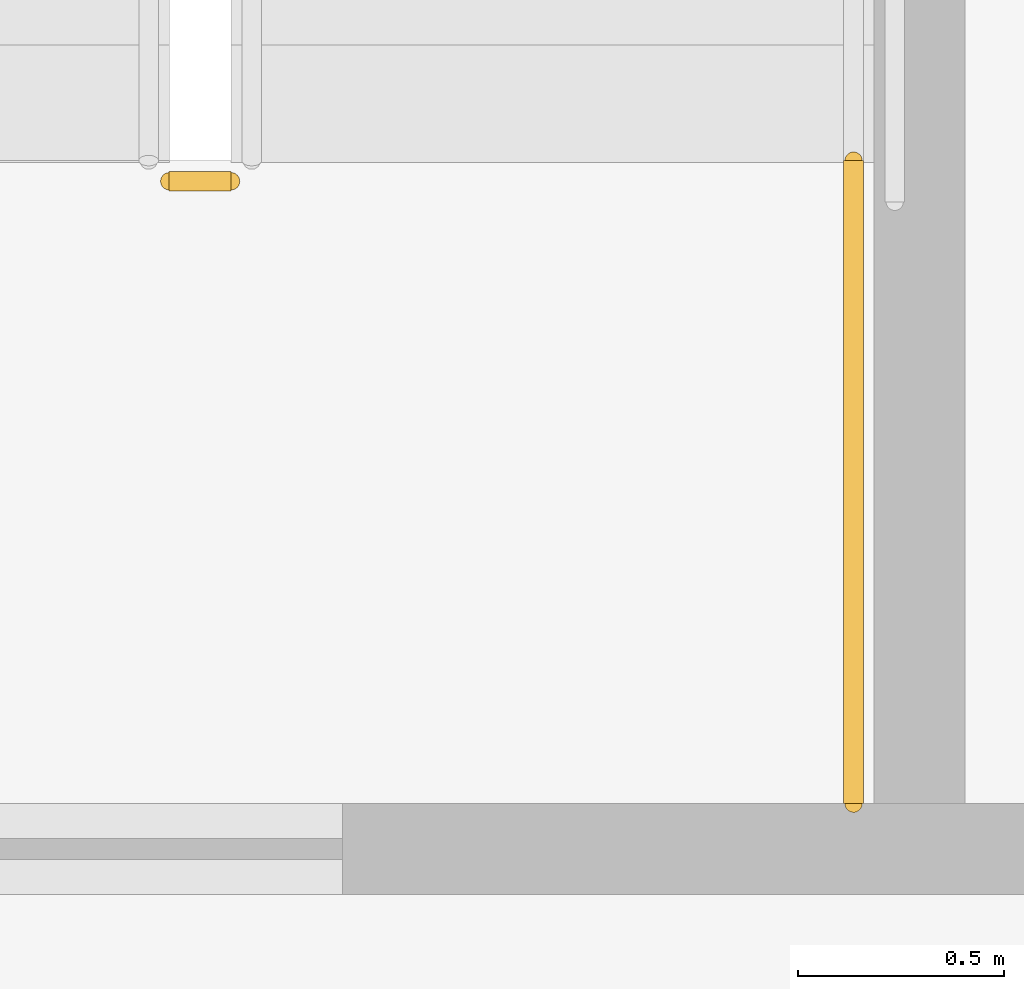
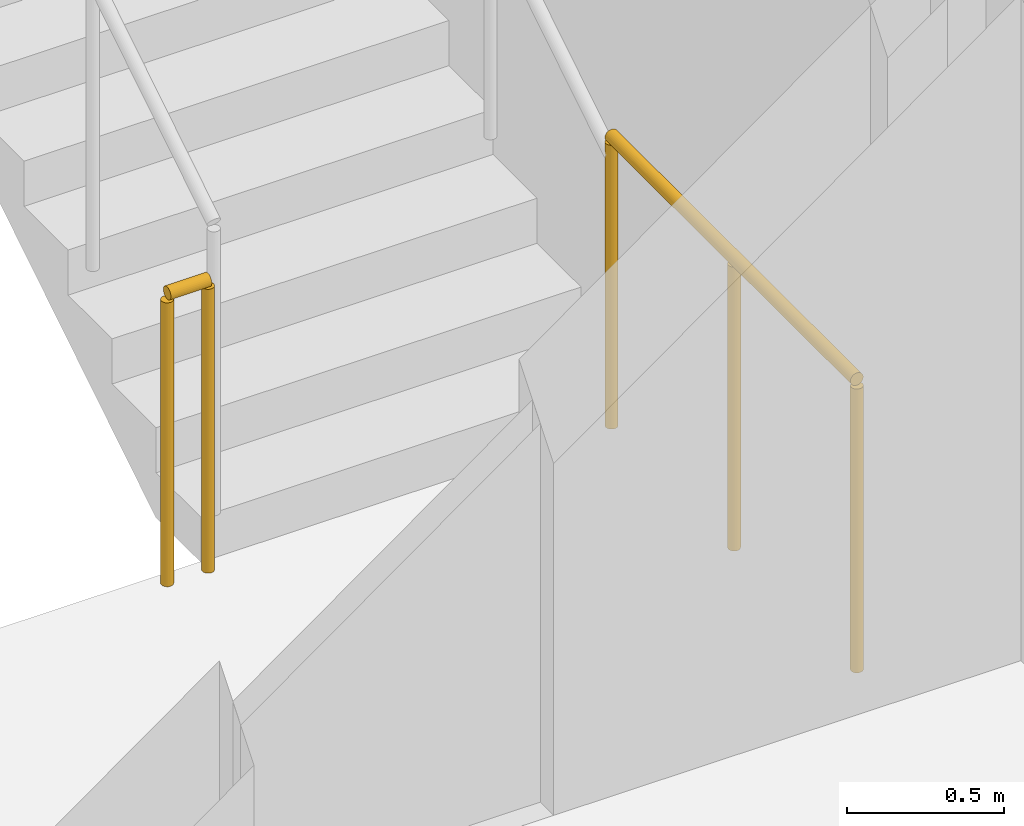
# One storey, part 12 of 15: 2 railings.
"""IFC4 building model written with IfcOpenShell, lengths in metres."""

from ifc_helpers import new_model, si_unit, direction, frame, origin, origin_2d, place, context, subcontext, project, spatial, circle, extrude, material, type_object, element, save


model = new_model("IFC4")

# Units and contexts
model_context = context("Model", 3, precision=1e-05, world=origin(), true_north=direction((0.0, 1.0)))
body_context = subcontext(model_context, "Body", "Model", "MODEL_VIEW")
ifc_project = project(units=[si_unit("LENGTHUNIT", "METRE"), si_unit("AREAUNIT", "SQUARE_METRE"), si_unit("VOLUMEUNIT", "CUBIC_METRE"), si_unit("PLANEANGLEUNIT", "RADIAN"), si_unit("MASSUNIT", "GRAM", prefix="KILO")], contexts=[model_context])

# Site, building, storey
site_placement = place(None, origin())
site = spatial("IfcSite", under=ifc_project, at=site_placement, CompositionType="ELEMENT")
building_placement = place(site_placement, origin())
building = spatial("IfcBuilding", under=site, at=building_placement, Name="Khairoan Windgate Tower", CompositionType="ELEMENT")
storey_placement = place(building_placement, frame((0.0, 0.0, 143.60009765625)))
storey = spatial("IfcBuildingStorey", under=building, at=storey_placement, Name="L33", CompositionType="ELEMENT", Elevation=143.60009765625)

# Railings
ifc_material = material(Name="Steel S355", Category="steel")
railing_type = type_object("IfcRailingType", Name="Stairwell Safety Guardrail SGR-1150", PredefinedType="GUARDRAIL", material=ifc_material)
railing_1_placement = place(storey_placement, frame((-17.7099609375, 2.909912109375, 0.0)))
element("IfcRailing", 1, at=railing_1_placement, inside=storey, type_object=railing_type, Name="L33 ST2 stair guard 7", PredefinedType="GUARDRAIL", context=body_context, shape_type="SweptSolid", body=[
    extrude(circle(Radius=0.02392578125, at=origin_2d()), frame((0.0, 0.0, 1.1259765625), z_axis=(-1.0, 0.0, 0.0), x_axis=(0.0, -1.0, 0.0)), (0.0, 0.0, 1.0), 0.150146484375),
    extrude(circle(Radius=0.02099609375, at=origin_2d()), origin(), (0.0, 0.0, 1.0), 1.101806640625),
    extrude(circle(Radius=0.02099609375, at=origin_2d()), frame((-0.150146484375, 0.0, 0.0)), (0.0, 0.0, 1.0), 1.101806640625),
])
railing_2_placement = place(storey_placement, frame((-16.199951171875, 1.39990234375, 0.0)))
element("IfcRailing", 2, at=railing_2_placement, inside=storey, type_object=railing_type, Name="L33 ST2 stair guard 8", PredefinedType="GUARDRAIL", context=body_context, shape_type="SweptSolid", body=[
    extrude(circle(Radius=0.02392578125, at=origin_2d()), frame((0.0, 0.0, 1.1259765625), z_axis=(0.0, 1.0, 0.0), x_axis=(-1.0, 0.0, 0.0)), (0.0, 0.0, 1.0), 1.56005859375),
    extrude(circle(Radius=0.02099609375, at=origin_2d()), origin(), (0.0, 0.0, 1.0), 1.101806640625),
    extrude(circle(Radius=0.02099609375, at=origin_2d()), frame((0.0, 0.780029296875, 0.0)), (0.0, 0.0, 1.0), 1.101806640625),
    extrude(circle(Radius=0.02099609375, at=origin_2d()), frame((0.0, 1.56005859375, 0.0)), (0.0, 0.0, 1.0), 1.101806640625),
])

save(model, "model.ifc")
